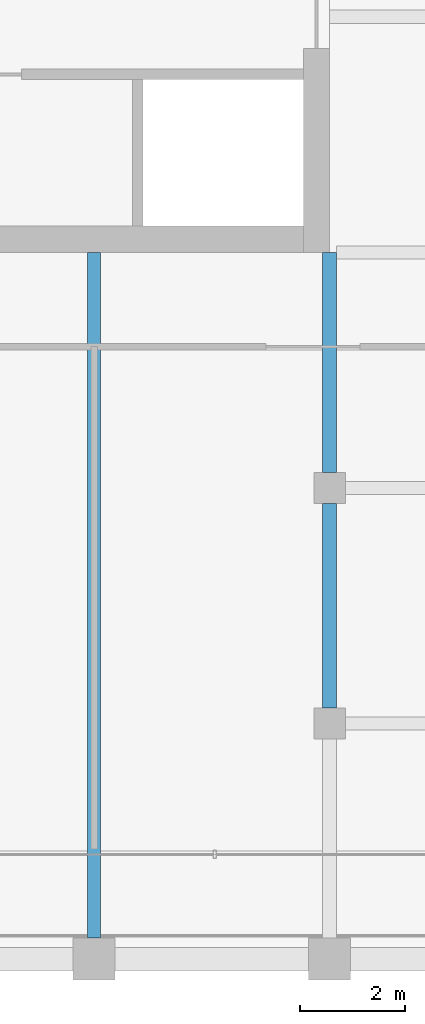
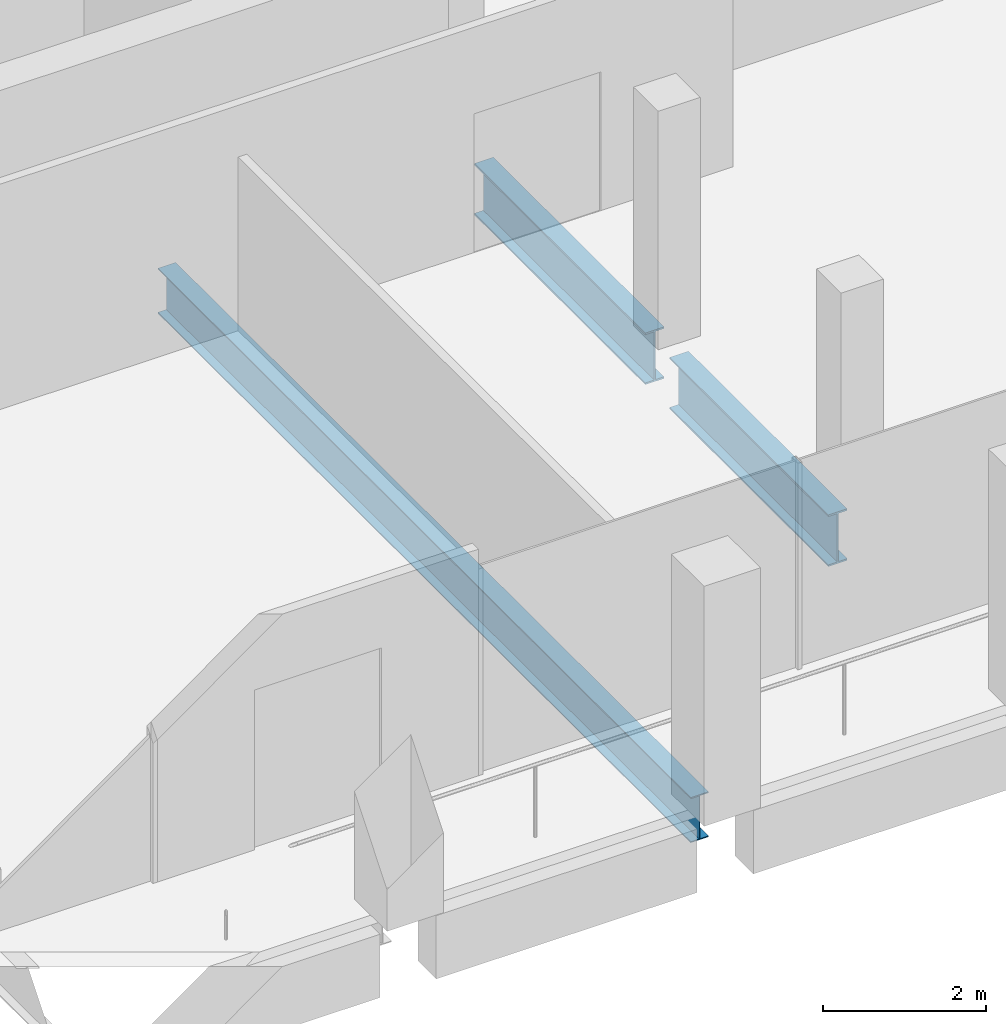
# One storey, part 10 of 30: 3 beams.
"""IFC4 building model written with IfcOpenShell, lengths in metres."""

from ifc_helpers import new_model, si_unit, direction, frame, origin, origin_2d, place, context, subcontext, project, spatial, i_section, extrude, material, material_profile, profile_set, type_object, element, save


model = new_model("IFC4")

# Units and contexts
model_context = context("Model", 3, precision=1e-05, world=origin(), true_north=direction((0.0, 1.0)))
body_context = subcontext(model_context, "Body", "Model", "MODEL_VIEW")
ifc_project = project(units=[si_unit("LENGTHUNIT", "METRE"), si_unit("AREAUNIT", "SQUARE_METRE"), si_unit("VOLUMEUNIT", "CUBIC_METRE"), si_unit("PLANEANGLEUNIT", "RADIAN"), si_unit("MASSUNIT", "GRAM", prefix="KILO")], contexts=[model_context])

# Site, building, storey
site_placement = place(None, origin())
site = spatial("IfcSite", under=ifc_project, at=site_placement, CompositionType="ELEMENT")
building_placement = place(site_placement, origin())
building = spatial("IfcBuilding", under=site, at=building_placement, Name="Altepetl Exchange Towers", CompositionType="ELEMENT")
storey_placement = place(building_placement, frame((0.0, 0.0, 242.39990234375)))
storey = spatial("IfcBuildingStorey", under=building, at=storey_placement, Name="L62", CompositionType="ELEMENT", Elevation=242.39990234375)

# Beams
ifc_material = material(Name="Steel S355", Category="steel")
ifc_material_profile_1 = material_profile(ifc_material, i_section(OverallWidth=0.2529296875, OverallDepth=0.677978515625, WebThickness=0.01171875, FlangeThickness=0.016357421875, at=origin_2d()), Name="W27X84")
ifc_profile_set_1 = profile_set([ifc_material_profile_1], Name="Steel S355")
beam_type_1 = type_object("IfcBeamType", Name="Floor beam W27X84", PredefinedType="BEAM", material=ifc_profile_set_1)
beam_1_placement = place(storey_placement, frame((54.0, 27.39990234375, -0.489013671875), z_axis=(0.0, 1.0, 0.0), x_axis=(-1.0, 0.0, 0.0)))
element("IfcBeam", 1, at=beam_1_placement, inside=storey, type_object=beam_type_1, Name="bm:A:L62:017", PredefinedType="BEAM", context=body_context, shape_type="SweptSolid", body=[
    extrude(i_section(OverallWidth=0.2529296875, OverallDepth=0.677978515625, WebThickness=0.01171875, FlangeThickness=0.016357421875, at=origin_2d()), origin(), (0.0, 0.0, 1.0), 13.10009765625),
])
ifc_material_profile_2 = material_profile(ifc_material, i_section(OverallWidth=0.26806640625, OverallDepth=0.77392578125, WebThickness=0.015380859375, FlangeThickness=0.025390625, at=origin_2d()), Name="W30X132")
ifc_profile_set_2 = profile_set([ifc_material_profile_2], Name="Steel S355")
beam_type_2 = type_object("IfcBeamType", Name="Girder W30X132", PredefinedType="BEAM", material=ifc_profile_set_2)
beam_2_placement = place(storey_placement, frame((58.5, 40.5, -0.536865234375), z_axis=(0.0, -1.0, 0.0), x_axis=(1.0, 0.0, 0.0)))
element("IfcBeam", 2, at=beam_2_placement, inside=storey, type_object=beam_type_2, Name="gd:A:L62:003", PredefinedType="BEAM", context=body_context, shape_type="SweptSolid", body=[
    extrude(i_section(OverallWidth=0.26806640625, OverallDepth=0.77392578125, WebThickness=0.015380859375, FlangeThickness=0.025390625, at=origin_2d()), origin(), (0.0, 0.0, 1.0), 4.199951171875),
])
beam_3_placement = place(storey_placement, frame((58.5, 35.699951171875, -0.536865234375), z_axis=(0.0, -1.0, 0.0), x_axis=(1.0, 0.0, 0.0)))
element("IfcBeam", 3, at=beam_3_placement, inside=storey, type_object=beam_type_2, Name="gd:A:L62:004", PredefinedType="BEAM", context=body_context, shape_type="SweptSolid", body=[
    extrude(i_section(OverallWidth=0.26806640625, OverallDepth=0.77392578125, WebThickness=0.015380859375, FlangeThickness=0.025390625, at=origin_2d()), origin(), (0.0, 0.0, 1.0), 3.89990234375),
])

save(model, "model.ifc")
